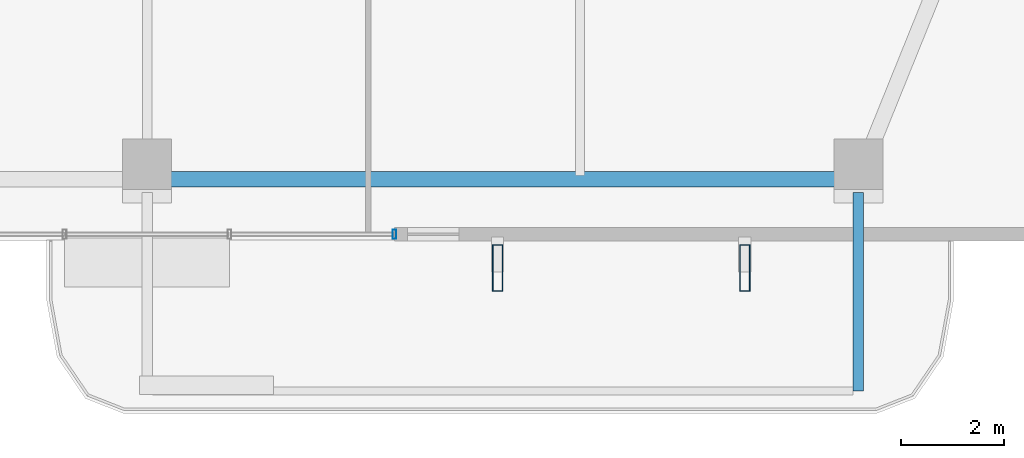
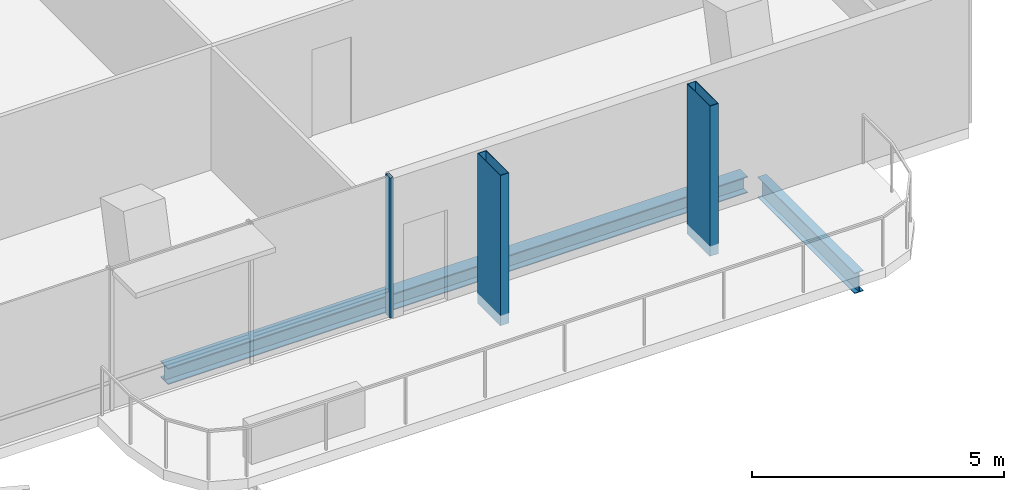
# One storey, part 8 of 25: 3 members, 2 beams, 1 element without a shape of its own.
"""IFC4 building model written with IfcOpenShell, lengths in metres."""

from ifc_helpers import new_model, si_unit, direction, frame, origin, origin_2d, place, context, subcontext, project, spatial, hollow_rectangle, i_section, extrude, material, layer, layer_set, material_profile, profile_set, type_object, element, aggregate, save


model = new_model("IFC4")

# Units and contexts
model_context = context("Model", 3, precision=1e-05, world=origin(), true_north=direction((0.0, 1.0)))
body_context = subcontext(model_context, "Body", "Model", "MODEL_VIEW")
ifc_project = project(units=[si_unit("LENGTHUNIT", "METRE"), si_unit("AREAUNIT", "SQUARE_METRE"), si_unit("VOLUMEUNIT", "CUBIC_METRE"), si_unit("PLANEANGLEUNIT", "RADIAN"), si_unit("MASSUNIT", "GRAM", prefix="KILO")], contexts=[model_context])

# Site, building, storey
site_placement = place(None, origin())
site = spatial("IfcSite", under=ifc_project, at=site_placement, CompositionType="ELEMENT")
building_placement = place(site_placement, origin())
building = spatial("IfcBuilding", under=site, at=building_placement, Name="Belovzor Exchange Tower", CompositionType="ELEMENT")
storey_placement = place(building_placement, frame((0.0, 0.0, 280.35009765625)))
storey = spatial("IfcBuildingStorey", under=building, at=storey_placement, Name="L70", CompositionType="ELEMENT", Elevation=280.35009765625)

# Beam
ifc_material_1 = material(Name="Steel S355", Category="steel")
ifc_material_profile_1 = material_profile(ifc_material_1, i_section(OverallWidth=0.199951171875, OverallDepth=0.5, WebThickness=0.01025390625, FlangeThickness=0.01611328125, at=origin_2d()))
ifc_profile_set_1 = profile_set([ifc_material_profile_1], Name="Steel S355")
beam_type_1 = type_object("IfcBeamType", Name="Planted Balcony Cantilever Beam IPE 500", PredefinedType="BEAM", material=ifc_profile_set_1)
beam_1_placement = place(storey_placement, frame((42.60009765625, 4.839111328125, -0.5), z_axis=(0.0, -1.0, 0.0), x_axis=(1.0, 0.0, 0.0)))
element("IfcBeam", 1, at=beam_1_placement, inside=storey, type_object=beam_type_1, Name="BC-500 Planted Balcony Cantilever Beam IPE 500", PredefinedType="BEAM", context=body_context, shape_type="SweptSolid", body=[
    extrude(i_section(OverallWidth=0.199951171875, OverallDepth=0.5, WebThickness=0.01025390625, FlangeThickness=0.01611328125, at=origin_2d()), origin(), (0.0, 0.0, 1.0), 3.85009765625),
])

# Members
ifc_material_2 = material(Name="Extruded Architectural Terracotta on Steel S355 Carrier", Category="masonry")
ifc_material_profile_2 = material_profile(ifc_material_2, hollow_rectangle(XDim=0.199951171875, YDim=0.89990234375, WallThickness=0.011962890625, at=origin_2d()))
ifc_profile_set_2 = profile_set([ifc_material_profile_2], Name="Extruded Architectural Terracotta on Steel S355 Carrier")
member_type_1 = type_object("IfcMemberType", Name="Sweeping Terracotta Baguette Fin Assembly 950", PredefinedType="USERDEFINED", material=ifc_profile_set_2)
for number, where, z_axis, x_axis, name in (
    (2, (35.60009765625, 3.375, -0.25), (0.0, 0.0, 1.0), (1.0, 0.0, 0.0), "FIN-TC095 Terracotta Facade Fin L70 S3"),
    (3, (40.39990234375, 3.375, -0.25), (0.0, 0.0, 1.0), (1.0, 0.0, 0.0), "FIN-TC095 Terracotta Facade Fin L70 S4"),
):
    element("IfcMember", number, at=place(storey_placement, frame(where, z_axis=z_axis, x_axis=x_axis)), inside=storey, type_object=member_type_1, Name=name, ObjectType="FIN", PredefinedType="USERDEFINED", context=body_context, shape_type="SweptSolid", body=[
        extrude(hollow_rectangle(XDim=0.199951171875, YDim=0.89990234375, WallThickness=0.011962890625, at=origin_2d()), origin(), (0.0, 0.0, 1.0), 3.639892578125),
    ])

# Curtain wall, member
ifc_material_3 = material(Name="Anodised Aluminium Framing", Category="aluminium")
ifc_layer = layer(ifc_material_3, 0.179931640625)
ifc_layer_set = layer_set([ifc_layer], Name="Anodised Aluminium Framing")
curtain_wall_type = type_object("IfcCurtainWallType", Name="Recessed Loggia Low-Iron Triple-Glazed Curtain Wall", PredefinedType="NOTDEFINED", material=ifc_layer_set)
curtain_wall_placement = place(storey_placement, origin())
curtain_wall = element("IfcCurtainWall", 4, at=curtain_wall_placement, inside=storey, type_object=curtain_wall_type, Name="CW3 Recessed Loggia Low-Iron Triple-Glazed Curtain Wall L70", PredefinedType="NOTDEFINED")
ifc_material_4 = material(Name="Steel S355", Category="steel")
ifc_material_profile_3 = material_profile(ifc_material_4, hollow_rectangle(XDim=0.074951171875, YDim=0.179931640625, WallThickness=0.0048828125, at=origin_2d()))
ifc_profile_set_3 = profile_set([ifc_material_profile_3], Name="Steel S355")
member_type_2 = type_object("IfcMemberType", Name="Thermally Broken Curtain Wall Mullion 180x75", PredefinedType="MULLION", material=ifc_profile_set_3)
member_placement = place(storey_placement, frame((33.60009765625, 4.030029296875, 0.0), z_axis=(0.0, 0.0, 1.0), x_axis=(-1.0, 0.0, 0.0)))
member = element("IfcMember", 5, at=member_placement, type_object=member_type_2, Name="CW-M180 Curtain Wall Mullion 1", PredefinedType="MULLION", context=body_context, shape_type="SweptSolid", body=[
    extrude(hollow_rectangle(XDim=0.074951171875, YDim=0.179931640625, WallThickness=0.0048828125, at=origin_2d()), origin(), (0.0, 0.0, 1.0), 3.389892578125),
])
aggregate(curtain_wall, [member])

# Beam
ifc_material_5 = material(Name="Steel S355", Category="steel")
ifc_material_profile_4 = material_profile(ifc_material_5, i_section(OverallWidth=0.300048828125, OverallDepth=0.39990234375, WebThickness=0.013427734375, FlangeThickness=0.02392578125, at=origin_2d()))
ifc_profile_set_4 = profile_set([ifc_material_profile_4], Name="Steel S355")
beam_type_2 = type_object("IfcBeamType", Name="Zone 5 Primary Girder HEB 400", PredefinedType="BEAM", material=ifc_profile_set_4)
beam_2_placement = place(storey_placement, frame((29.06103515625, 5.10009765625, -0.4501953125), z_axis=(1.0, 0.0, 0.0), x_axis=(0.0, 1.0, 0.0)))
element("IfcBeam", 6, at=beam_2_placement, inside=storey, type_object=beam_type_2, Name="FG-Z5 Zone 5 Primary Girder HEB 400", PredefinedType="BEAM", context=body_context, shape_type="SweptSolid", body=[
    extrude(i_section(OverallWidth=0.300048828125, OverallDepth=0.39990234375, WebThickness=0.013427734375, FlangeThickness=0.02392578125, at=origin_2d()), origin(), (0.0, 0.0, 1.0), 13.278076171875),
])

save(model, "model.ifc")
